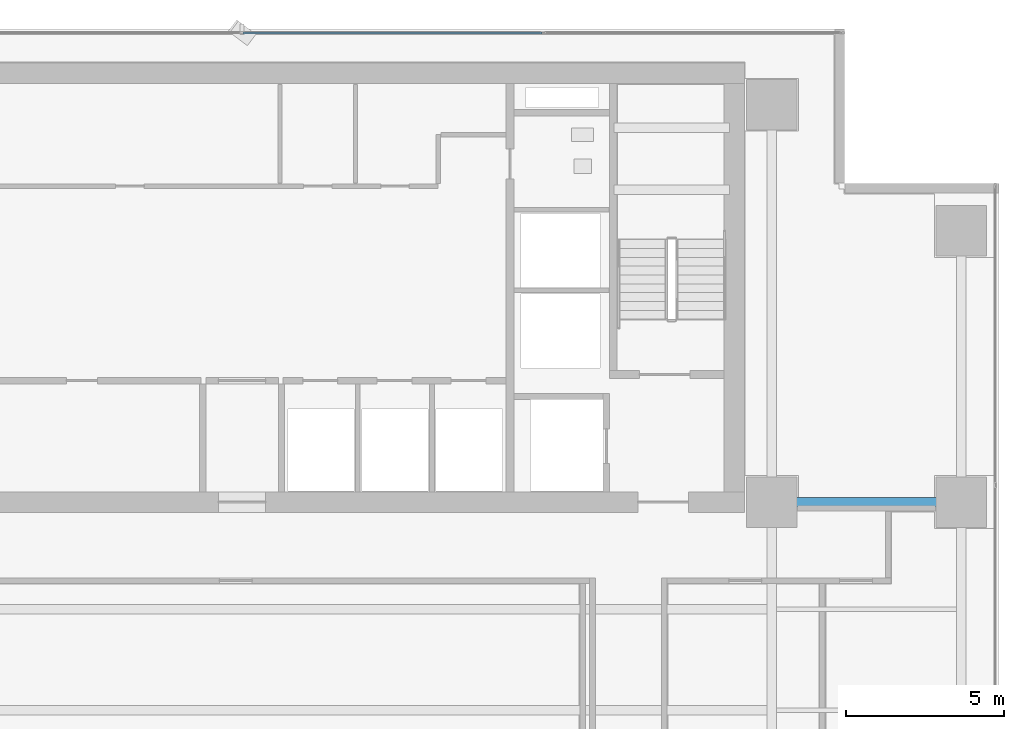
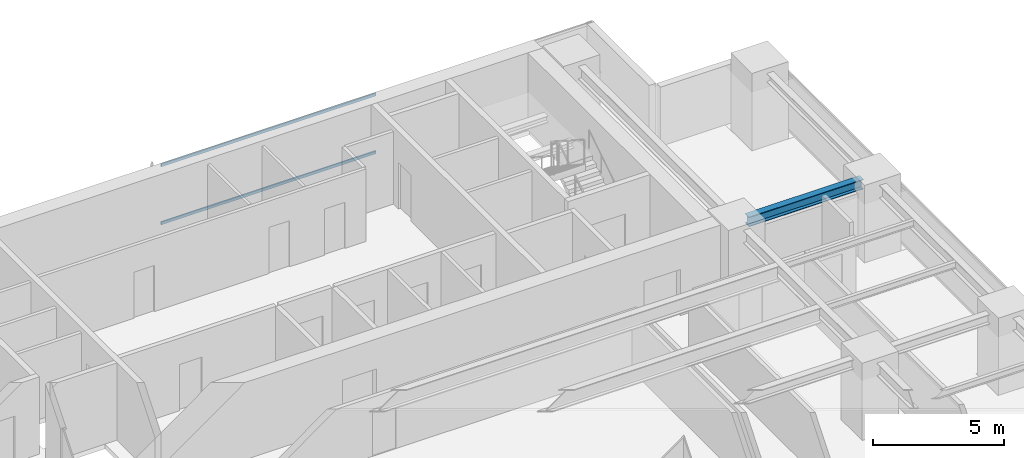
# One storey, part 17 of 28: 2 members, 1 beam, 1 element without a shape of its own.
"""IFC4 building model written with IfcOpenShell, lengths in metres."""

from ifc_helpers import new_model, si_unit, direction, frame, origin, origin_2d, place, context, subcontext, project, spatial, hollow_rectangle, i_section, extrude, source, transform, mapped, material, layer, layer_set, material_profile, profile_set, type_object, element, aggregate, save


model = new_model("IFC4")

# Units and contexts
model_context = context("Model", 3, precision=1e-05, world=origin(), true_north=direction((0.0, 1.0)))
body_context = subcontext(model_context, "Body", "Model", "MODEL_VIEW")
ifc_project = project(units=[si_unit("LENGTHUNIT", "METRE"), si_unit("AREAUNIT", "SQUARE_METRE"), si_unit("VOLUMEUNIT", "CUBIC_METRE"), si_unit("PLANEANGLEUNIT", "RADIAN"), si_unit("MASSUNIT", "GRAM", prefix="KILO")], contexts=[model_context])

# Site, building, storey
site_placement = place(None, origin())
site = spatial("IfcSite", under=ifc_project, at=site_placement, CompositionType="ELEMENT")
building_placement = place(site_placement, origin())
building = spatial("IfcBuilding", under=site, at=building_placement, Name="Sumidabori Civic Tower", CompositionType="ELEMENT")
storey_placement = place(building_placement, frame((0.0, 0.0, 171.199951171875)))
storey = spatial("IfcBuildingStorey", under=building, at=storey_placement, Name="L44", CompositionType="ELEMENT", Elevation=171.199951171875)

# Beam
ifc_material_1 = material(Name="Steel SN490", Category="steel")
ifc_material_profile_1 = material_profile(ifc_material_1, i_section(OverallWidth=0.300048828125, OverallDepth=0.449951171875, WebThickness=0.013916015625, FlangeThickness=0.02587890625, at=origin_2d()), Name="HE 450 B")
ifc_profile_set_1 = profile_set([ifc_material_profile_1], Name="Steel SN490")
beam_type = type_object("IfcBeamType", Name="BM-GIRD-450", PredefinedType="BEAM", material=ifc_profile_set_1)
shared_shape_1 = source(origin(), body_context, "Body", "SweptSolid", [
    extrude(i_section(OverallWidth=0.300048828125, OverallDepth=0.449951171875, WebThickness=0.013916015625, FlangeThickness=0.02587890625, at=origin_2d()), origin(), (0.0, 0.0, 1.0), 5.0400390625),
])
beam_placement = place(storey_placement, frame((17.280029296875, 10.199951171875, 3.155029296875), z_axis=(1.0, 0.0, 0.0), x_axis=(0.0, 1.0, 0.0)))
element("IfcBeam", 1, at=beam_placement, inside=storey, type_object=beam_type, Name="Primary Girder L44 GX-18", PredefinedType="BEAM", context=body_context, shape_type="MappedRepresentation", body=[
    mapped(shared_shape_1, transform((0.0, 0.0, 0.0), x_axis=(1.0, 0.0, 0.0), y_axis=(0.0, 1.0, 0.0), z_axis=(0.0, 0.0, 1.0), scale=1.0)),
])

# Curtain wall, members
ifc_material_2 = material(Name="Anodised Bronze Aluminium AW-6063-T6", Category="aluminium")
ifc_layer = layer(ifc_material_2, 0.179931640625, Name="Anodised Bronze Aluminium AW-6063-T6")
ifc_layer_set = layer_set([ifc_layer], Name="Anodised Bronze Aluminium AW-6063-T6")
curtain_wall_type = type_object("IfcCurtainWallType", Name="CW-SYS-3", PredefinedType="NOTDEFINED", material=ifc_layer_set)
curtain_wall_placement = place(storey_placement, origin())
curtain_wall = element("IfcCurtainWall", 2, at=curtain_wall_placement, inside=storey, type_object=curtain_wall_type, Name="Curtain Wall CW:L44:R07", PredefinedType="NOTDEFINED")
ifc_material_profile_2 = material_profile(ifc_material_2, hollow_rectangle(XDim=0.06005859375, YDim=0.1298828125, WallThickness=0.0048828125, at=origin_2d()), Name="ALU TRANSOM 130x60")
ifc_profile_set_2 = profile_set([ifc_material_profile_2], Name="Anodised Bronze Aluminium AW-6063-T6")
member_type = type_object("IfcMemberType", Name="CW-TRN-130", PredefinedType="USERDEFINED", material=ifc_profile_set_2)
shared_shape_2 = source(origin(), body_context, "Body", "SweptSolid", [
    extrude(hollow_rectangle(XDim=0.06005859375, YDim=0.1298828125, WallThickness=0.0048828125, at=origin_2d()), origin(), (0.0, 0.0, 1.0), 9.469970703125),
])
member_1_placement = place(storey_placement, frame((9.50244140625, 25.080078125, 0.030029296875), z_axis=(-1.0, 0.0, 0.0), x_axis=(0.0, -1.0, 0.0)))
member_1 = element("IfcMember", 3, at=member_1_placement, type_object=member_type, Name="CW-3 transom 2.1", ObjectType="TRANSOM", PredefinedType="USERDEFINED", context=body_context, shape_type="MappedRepresentation", body=[
    mapped(shared_shape_2, transform((0.0, 0.0, 0.0), x_axis=(1.0, 0.0, 0.0), y_axis=(0.0, 1.0, 0.0), z_axis=(0.0, 0.0, 1.0), scale=1.0)),
])
member_2_placement = place(storey_placement, frame((9.50244140625, 25.080078125, 2.72998046875), z_axis=(-1.0, 0.0, 0.0), x_axis=(0.0, -1.0, 0.0)))
member_2 = element("IfcMember", 4, at=member_2_placement, type_object=member_type, Name="CW-3 transom 2.2", ObjectType="TRANSOM", PredefinedType="USERDEFINED", context=body_context, shape_type="MappedRepresentation", body=[
    mapped(shared_shape_2, transform((0.0, 0.0, 0.0), x_axis=(1.0, 0.0, 0.0), y_axis=(0.0, 1.0, 0.0), z_axis=(0.0, 0.0, 1.0), scale=1.0)),
])
aggregate(curtain_wall, [member_1, member_2])

save(model, "model.ifc")
